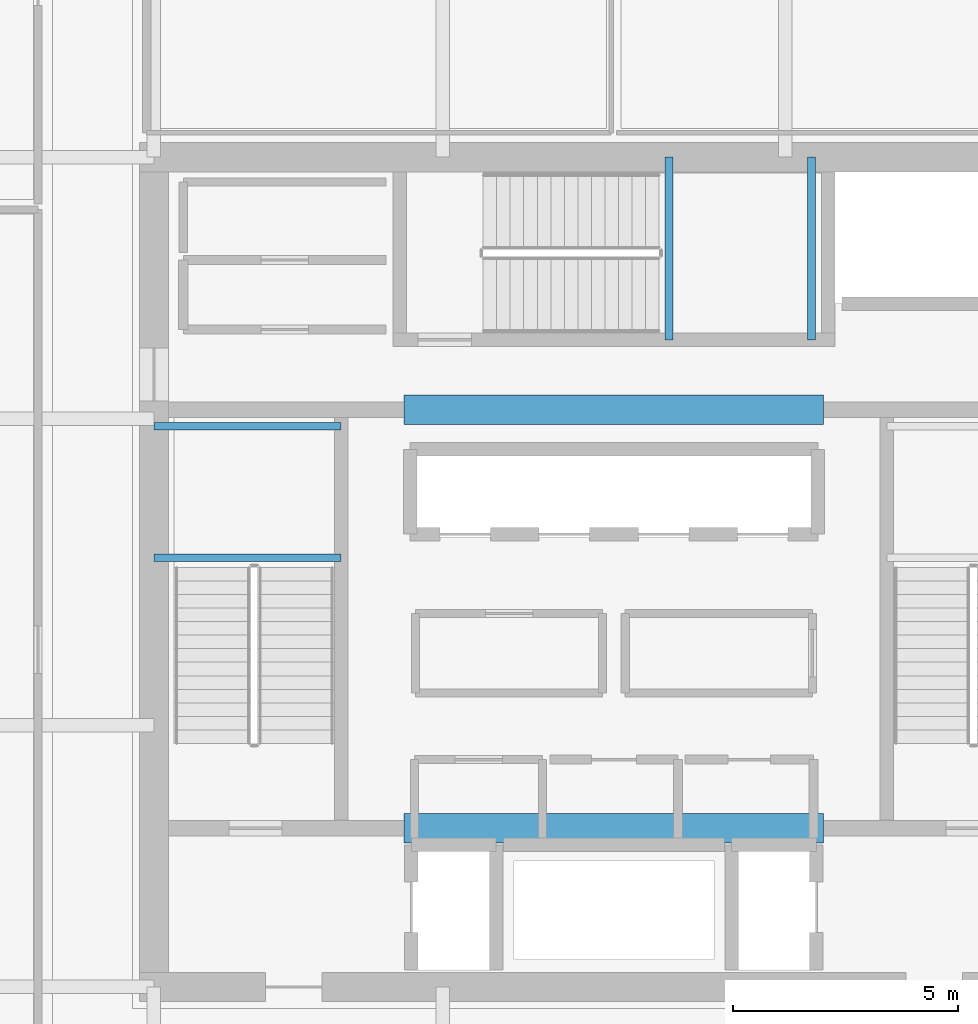
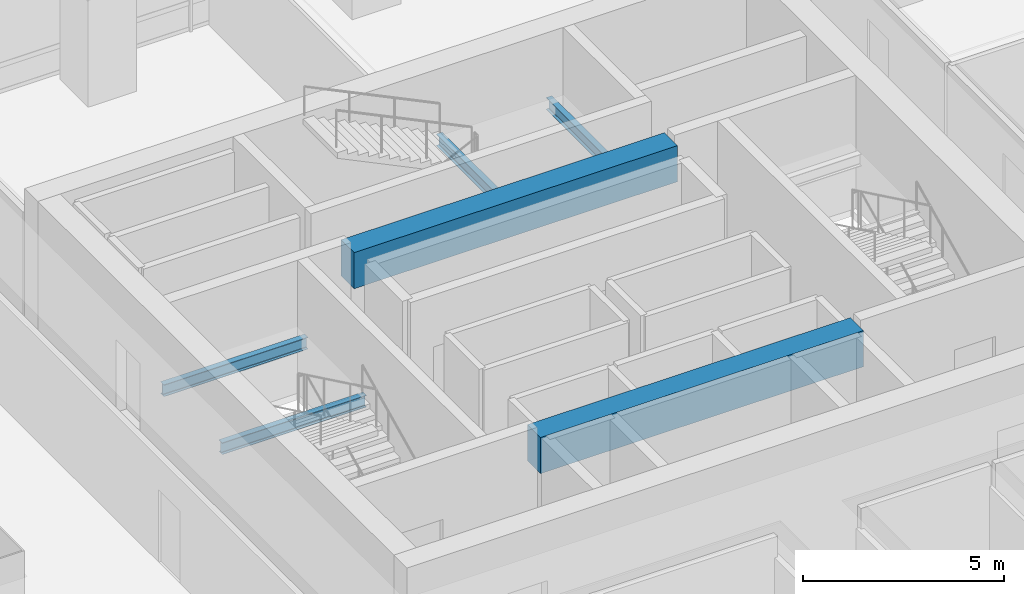
# One storey, part 12 of 37: 6 beams.
"""IFC4 building model written with IfcOpenShell, lengths in metres."""

import ifcopenshell
import ifcopenshell.guid

model = None  # the IFC model being written
_history = None  # IfcOwnerHistory: only IFC2X3 demands one
_inside = {}  # id of a spatial element -> (the spatial element, [elements in it])
_under = {}  # id of a project, library or spatial element -> (it, [spatial elements below it])
_declared = {}  # id of a project -> (the project, [libraries it declares])
_typed = {}  # id of a type object -> (the type object, [elements of that type])
_made_of = {}  # id of a material, layer set ... -> (it, [elements and type objects made of it])


def new_model(schema):
    """Start an empty IFC model of exactly this schema.

    Asked for "IFC4X3", IfcOpenShell would pick the latest addendum, in which some entities
    have other attributes; the version numbers below select the first issue.
    IFC2X3 requires an IfcOwnerHistory on every rooted entity: one is made here for all.
    """
    global model, _history
    if schema == "IFC4X3":
        model = ifcopenshell.file(schema_version=(4, 3, 0, 0))
    else:
        model = ifcopenshell.file(schema=schema)
    _inside.clear()
    _under.clear()
    _declared.clear()
    _typed.clear()
    _made_of.clear()
    _history = None
    if model.schema == "IFC2X3":
        org = make("IfcOrganization", Name="unknown")
        user = make(
            "IfcPersonAndOrganization",
            ThePerson=make("IfcPerson", FamilyName="unknown"),
            TheOrganization=org,
        )
        app = make(
            "IfcApplication",
            ApplicationDeveloper=org,
            Version="unknown",
            ApplicationFullName="unknown",
            ApplicationIdentifier="unknown",
        )
        _history = make(
            "IfcOwnerHistory",
            OwningUser=user,
            OwningApplication=app,
            ChangeAction="ADDED",
            CreationDate=0,
        )
    return model


def make(cls, **values):
    """One entity of the class cls with the attributes given. An attribute that is None is left unset."""
    return model.create_entity(
        cls, **{name: value for name, value in values.items() if value is not None}
    )


def rooted(cls, **values):
    """An entity with a GlobalId (a new one), such as an element, a storey or a relation."""
    return make(cls, GlobalId=ifcopenshell.guid.new(), OwnerHistory=_history, **values)


def si_unit(unit_type, name, prefix=None):
    """IfcSIUnit, for example si_unit("LENGTHUNIT", "METRE", prefix="MILLI")."""
    return make("IfcSIUnit", UnitType=unit_type, Prefix=prefix, Name=name)


def assignment(units):
    """IfcUnitAssignment: the units of a project."""
    return None if units is None else make("IfcUnitAssignment", Units=units)


def point(xyz):
    """IfcCartesianPoint."""
    return None if xyz is None else make("IfcCartesianPoint", Coordinates=xyz)


def direction(xyz):
    """IfcDirection."""
    return None if xyz is None else make("IfcDirection", DirectionRatios=xyz)


def frame(location, z_axis=None, x_axis=None):
    """IfcAxis2Placement3D, a coordinate frame: its origin and axes. An axis left out is left unset."""
    return make(
        "IfcAxis2Placement3D",
        Location=point(location),
        Axis=direction(z_axis),
        RefDirection=direction(x_axis),
    )


def frame_2d(location, x_axis=None):
    """IfcAxis2Placement2D, a coordinate frame in the plane: its origin and x axis."""
    return make(
        "IfcAxis2Placement2D", Location=point(location), RefDirection=direction(x_axis)
    )


def origin():
    """The frame at (0, 0, 0) with its axes left unset."""
    return frame((0.0, 0.0, 0.0))


def origin_2d():
    """The frame at (0, 0) in the plane with its x axis left unset."""
    return frame_2d((0.0, 0.0))


def place(relative_to, where):
    """IfcLocalPlacement: puts the frame where relative to a parent placement (None: the world)."""
    return make(
        "IfcLocalPlacement", PlacementRelTo=relative_to, RelativePlacement=where
    )


def context(
    kind, dimensions, precision=None, world=None, true_north=None, identifier=None
):
    """IfcGeometricRepresentationContext, for example the 3D "Model" context."""
    return make(
        "IfcGeometricRepresentationContext",
        ContextIdentifier=identifier,
        ContextType=kind,
        CoordinateSpaceDimension=dimensions,
        Precision=precision,
        WorldCoordinateSystem=world,
        TrueNorth=true_north,
    )


def subcontext(parent, identifier, kind, view, scale=None):
    """IfcGeometricRepresentationSubContext, for example "Body" below "Model"."""
    return make(
        "IfcGeometricRepresentationSubContext",
        ContextIdentifier=identifier,
        ContextType=kind,
        ParentContext=parent,
        TargetScale=scale,
        TargetView=view,
    )


def project(units=None, contexts=None):
    """IfcProject with its units and contexts."""
    return rooted(
        "IfcProject",
        Name="project",
        RepresentationContexts=contexts,
        UnitsInContext=assignment(units),
    )


def spatial(cls, under=None, at=None, **own):
    """A site, building, storey or space (cls), placed at a placement, below another one or the project."""
    s = rooted(cls, ObjectPlacement=at, **own)
    if under is not None:
        _under.setdefault(under.id(), (under, []))[1].append(s)
    return s


def profile(cls, at=None, kind="AREA", **sizes):
    """A parametric profile (cls). Its sizes go by their IFC names, for example OverallWidth=200.0."""
    return make(cls, ProfileType=kind, Position=at, **sizes)


def rectangle(**sizes):
    """IfcRectangleProfileDef."""
    return profile("IfcRectangleProfileDef", **sizes)


def i_section(**sizes):
    """IfcIShapeProfileDef."""
    return profile("IfcIShapeProfileDef", **sizes)


def extrude(swept, where, along, depth):
    """IfcExtrudedAreaSolid: the profile swept, set in the frame where, extruded along a direction by depth."""
    return make(
        "IfcExtrudedAreaSolid",
        SweptArea=swept,
        Position=where,
        ExtrudedDirection=direction(along),
        Depth=depth,
    )


def shape(context_of_items, identifier, shape_type, items):
    """IfcShapeRepresentation: the items that make up one representation, for example the "Body"."""
    return make(
        "IfcShapeRepresentation",
        ContextOfItems=context_of_items,
        RepresentationIdentifier=identifier,
        RepresentationType=shape_type,
        Items=items,
    )


def material(Name=None, Category=None):
    """IfcMaterial."""
    return make("IfcMaterial", Name=Name, Category=Category)


def material_profile(
    of_material, cross_section, Name=None, Category=None, Priority=None
):
    """IfcMaterialProfile: a cross section and its material."""
    return make(
        "IfcMaterialProfile",
        Name=Name,
        Material=of_material,
        Profile=cross_section,
        Priority=Priority,
        Category=Category,
    )


def profile_set(profiles, Name=None, composite=None):
    """IfcMaterialProfileSet."""
    return make(
        "IfcMaterialProfileSet",
        Name=Name,
        MaterialProfiles=profiles,
        CompositeProfile=composite,
    )


def made_of(thing, what):
    """Note that an element or type object is made of a material, layer set ...; save() writes the relation."""
    if what is not None:
        _made_of.setdefault(what.id(), (what, []))[1].append(thing)
    return thing


def type_object(cls, material=None, **own):
    """A type object (cls), such as IfcWallType, which elements share."""
    return made_of(rooted(cls, **own), material)


def element(
    cls,
    number,
    at=None,
    inside=None,
    cuts=None,
    type_object=None,
    material=None,
    context=None,
    identifier="Body",
    shape_type=None,
    held_by="IfcProductDefinitionShape",
    body=None,
    shapes=None,
    **own,
):
    """One element of the class cls, such as IfcWall. Its Tag is "e" and its number.

    at: its placement. inside: the storey or other place that contains it. cuts: it is an
    opening in that element (IfcRelVoidsElement). A single representation is given by context,
    identifier, shape_type and body (its items); several are given by shapes. held_by: the class
    of the entity that holds the representations. save() writes the other relations.
    """
    e = rooted(cls, Tag="e%d" % number, ObjectPlacement=at, **own)
    if body is not None:
        shapes = [shape(context, identifier, shape_type, body)]
    if shapes is not None:
        e.Representation = make(held_by, Representations=shapes)
    if inside is not None:
        _inside.setdefault(inside.id(), (inside, []))[1].append(e)
    if cuts is not None:
        rooted(
            "IfcRelVoidsElement", RelatingBuildingElement=cuts, RelatedOpeningElement=e
        )
    if type_object is not None:
        _typed.setdefault(type_object.id(), (type_object, []))[1].append(e)
    return made_of(e, material)


def aggregate(whole, parts):
    """IfcRelAggregates: a whole, such as a stair, and the parts it consists of."""
    return rooted("IfcRelAggregates", RelatingObject=whole, RelatedObjects=parts)


def save(model, path):
    """Write the relations noted so far, then the file.

    IfcRelAggregates (storeys below a building ...), IfcRelContainedInSpatialStructure (elements
    in a storey), IfcRelDefinesByType, IfcRelAssociatesMaterial and IfcRelDeclares: one each for
    every whole, place, type object, material and project.
    """
    for whole, parts in _under.values():
        aggregate(whole, parts)
    for where, things in _inside.values():
        rooted(
            "IfcRelContainedInSpatialStructure",
            RelatedElements=things,
            RelatingStructure=where,
        )
    for kind, things in _typed.values():
        rooted("IfcRelDefinesByType", RelatedObjects=things, RelatingType=kind)
    for what, things in _made_of.values():
        rooted("IfcRelAssociatesMaterial", RelatedObjects=things, RelatingMaterial=what)
    for by, libraries in _declared.values():
        rooted("IfcRelDeclares", RelatingContext=by, RelatedDefinitions=libraries)
    model.write(path)


model = new_model("IFC4")

# Units and contexts
model_context = context("Model", 3, precision=1e-05, world=origin(), true_north=direction((0.0, 1.0)))
body_context = subcontext(model_context, "Body", "Model", "MODEL_VIEW")
ifc_project = project(units=[si_unit("LENGTHUNIT", "METRE"), si_unit("AREAUNIT", "SQUARE_METRE"), si_unit("VOLUMEUNIT", "CUBIC_METRE"), si_unit("PLANEANGLEUNIT", "RADIAN"), si_unit("MASSUNIT", "GRAM", prefix="KILO")], contexts=[model_context])

# Site, building, storey
site_placement = place(None, origin())
site = spatial("IfcSite", under=ifc_project, at=site_placement, CompositionType="ELEMENT")
building_placement = place(site_placement, origin())
building = spatial("IfcBuilding", under=site, at=building_placement, Name="Punatoya Terracotta Tower", CompositionType="ELEMENT")
storey_placement = place(building_placement, frame((0.0, 0.0, 192.449951171875)))
storey = spatial("IfcBuildingStorey", under=building, at=storey_placement, Name="L45", CompositionType="ELEMENT", Elevation=192.449951171875)

# Beams
ifc_material_1 = material(Name="Concrete C60/75", Category="concrete")
ifc_material_profile_1 = material_profile(ifc_material_1, rectangle(XDim=0.64990234375, YDim=1.10009765625, at=origin_2d()))
ifc_profile_set_1 = profile_set([ifc_material_profile_1], Name="Concrete C60/75")
beam_type_1 = type_object("IfcBeamType", Name="BM-RC-1100", PredefinedType="LINTEL", material=ifc_profile_set_1)
for number, where, z_axis, x_axis, name in (
    (1, (-4.64990234375, -5.679931640625, 3.280029296875), (1.0, 0.0, 0.0), (0.0, 1.0, 0.0), "L45 Core Coupling Lintel CSW"),
    (2, (-4.64990234375, 3.60009765625, 3.280029296875), (1.0, 0.0, 0.0), (0.0, 1.0, 0.0), "L45 Core Coupling Lintel CNW"),
):
    element("IfcBeam", number, at=place(storey_placement, frame(where, z_axis=z_axis, x_axis=x_axis)), inside=storey, type_object=beam_type_1, Name=name, PredefinedType="LINTEL", context=body_context, shape_type="SweptSolid", body=[
        extrude(rectangle(XDim=0.64990234375, YDim=1.10009765625, at=origin_2d()), origin(), (0.0, 0.0, 1.0), 9.2998046875),
    ])
ifc_material_2 = material(Name="Steel S355", Category="steel")
ifc_material_profile_2 = material_profile(ifc_material_2, i_section(OverallWidth=0.169921875, OverallDepth=0.360107421875, WebThickness=0.008056640625, FlangeThickness=0.0126953125, FilletRadius=0.01806640625, at=origin_2d()))
ifc_profile_set_2 = profile_set([ifc_material_profile_2], Name="Steel S355")
beam_type_2 = type_object("IfcBeamType", Name="BM-SEC-360", PredefinedType="JOIST", material=ifc_profile_set_2)
for number, where, z_axis, x_axis, name in (
    (3, (-10.199951171875, 0.320068359375, 1.64501953125), (1.0, 0.0, 0.0), (0.0, 1.0, 0.0), "BM-L45-ST-1-LD1A"),
    (4, (-10.199951171875, 3.22998046875, 1.64501953125), (1.0, 0.0, 0.0), (0.0, 1.0, 0.0), "BM-L45-ST-1-LD1B"),
):
    element("IfcBeam", number, at=place(storey_placement, frame(where, z_axis=z_axis, x_axis=x_axis)), inside=storey, type_object=beam_type_2, Name=name, PredefinedType="JOIST", context=body_context, shape_type="SweptSolid", body=[
        extrude(i_section(OverallWidth=0.169921875, OverallDepth=0.360107421875, WebThickness=0.008056640625, FlangeThickness=0.0126953125, FilletRadius=0.01806640625, at=origin_2d()), origin(), (0.0, 0.0, 1.0), 4.14990234375),
    ])
for number, where, z_axis, x_axis, name in (
    (5, (1.219970703125, 5.14990234375, 1.64501953125), (0.0, 1.0, 0.0), (-1.0, 0.0, 0.0), "BM-L45-ST-3-LD1A"),
    (6, (4.3798828125, 5.14990234375, 1.64501953125), (0.0, 1.0, 0.0), (-1.0, 0.0, 0.0), "BM-L45-ST-3-LD1B"),
):
    element("IfcBeam", number, at=place(storey_placement, frame(where, z_axis=z_axis, x_axis=x_axis)), inside=storey, type_object=beam_type_2, Name=name, PredefinedType="JOIST", context=body_context, shape_type="SweptSolid", body=[
        extrude(i_section(OverallWidth=0.169921875, OverallDepth=0.360107421875, WebThickness=0.008056640625, FlangeThickness=0.0126953125, FilletRadius=0.01806640625, at=origin_2d()), origin(), (0.0, 0.0, 1.0), 4.050048828125),
    ])

save(model, "model.ifc")
